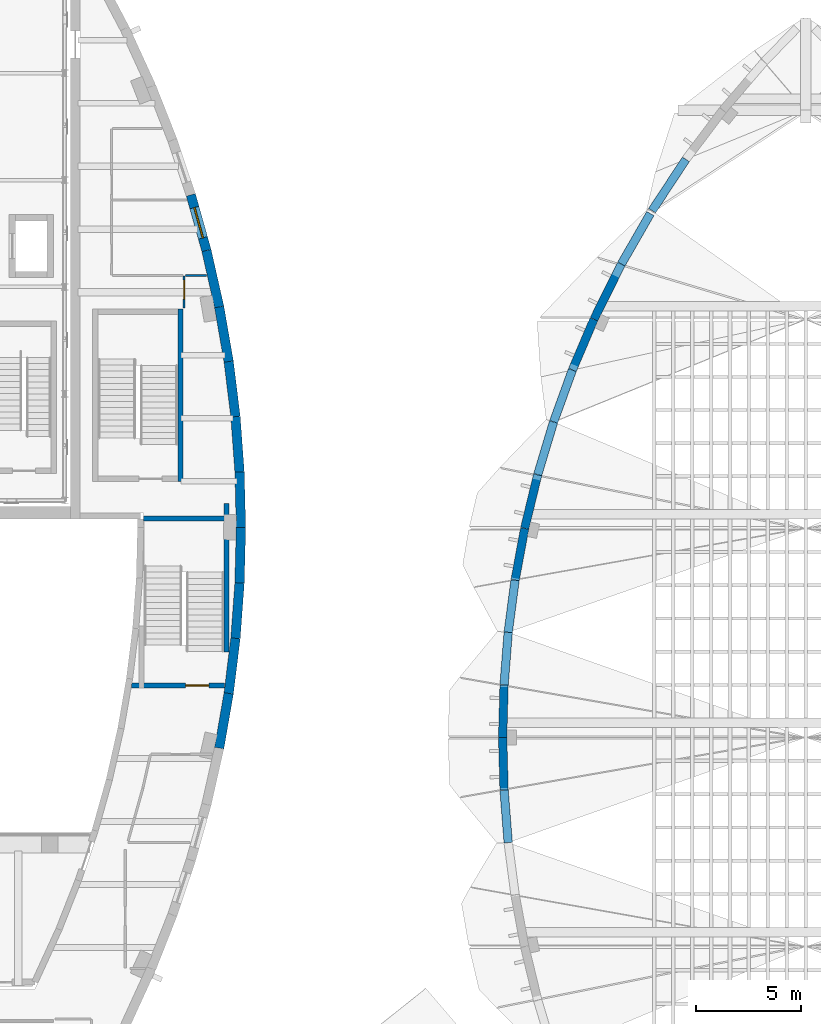
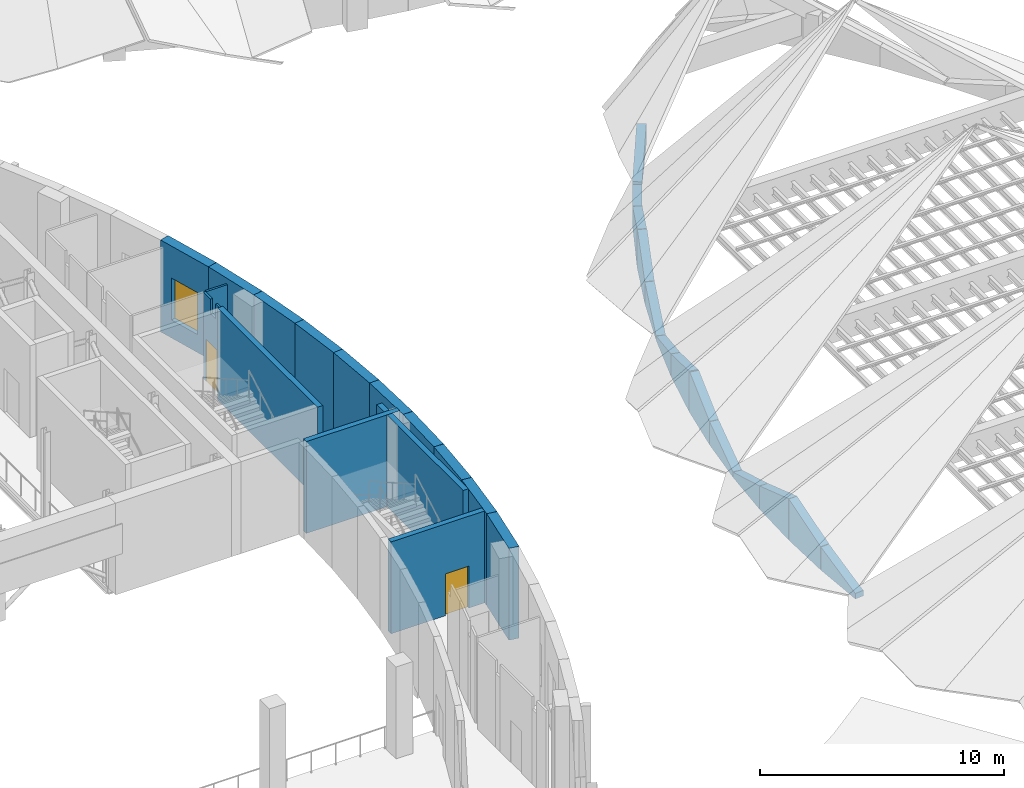
# One storey, part 37 of 56: 29 walls, 2 doors, 1 window, 3 openings.
"""IFC4 building model written with IfcOpenShell, lengths in metres."""

import ifcopenshell
import ifcopenshell.guid

model = None  # the IFC model being written
_history = None  # IfcOwnerHistory: only IFC2X3 demands one
_inside = {}  # id of a spatial element -> (the spatial element, [elements in it])
_under = {}  # id of a project, library or spatial element -> (it, [spatial elements below it])
_declared = {}  # id of a project -> (the project, [libraries it declares])
_typed = {}  # id of a type object -> (the type object, [elements of that type])
_made_of = {}  # id of a material, layer set ... -> (it, [elements and type objects made of it])


def new_model(schema):
    """Start an empty IFC model of exactly this schema.

    Asked for "IFC4X3", IfcOpenShell would pick the latest addendum, in which some entities
    have other attributes; the version numbers below select the first issue.
    IFC2X3 requires an IfcOwnerHistory on every rooted entity: one is made here for all.
    """
    global model, _history
    if schema == "IFC4X3":
        model = ifcopenshell.file(schema_version=(4, 3, 0, 0))
    else:
        model = ifcopenshell.file(schema=schema)
    _inside.clear()
    _under.clear()
    _declared.clear()
    _typed.clear()
    _made_of.clear()
    _history = None
    if model.schema == "IFC2X3":
        org = make("IfcOrganization", Name="unknown")
        user = make(
            "IfcPersonAndOrganization",
            ThePerson=make("IfcPerson", FamilyName="unknown"),
            TheOrganization=org,
        )
        app = make(
            "IfcApplication",
            ApplicationDeveloper=org,
            Version="unknown",
            ApplicationFullName="unknown",
            ApplicationIdentifier="unknown",
        )
        _history = make(
            "IfcOwnerHistory",
            OwningUser=user,
            OwningApplication=app,
            ChangeAction="ADDED",
            CreationDate=0,
        )
    return model


def make(cls, **values):
    """One entity of the class cls with the attributes given. An attribute that is None is left unset."""
    return model.create_entity(
        cls, **{name: value for name, value in values.items() if value is not None}
    )


def rooted(cls, **values):
    """An entity with a GlobalId (a new one), such as an element, a storey or a relation."""
    return make(cls, GlobalId=ifcopenshell.guid.new(), OwnerHistory=_history, **values)


def si_unit(unit_type, name, prefix=None):
    """IfcSIUnit, for example si_unit("LENGTHUNIT", "METRE", prefix="MILLI")."""
    return make("IfcSIUnit", UnitType=unit_type, Prefix=prefix, Name=name)


def assignment(units):
    """IfcUnitAssignment: the units of a project."""
    return None if units is None else make("IfcUnitAssignment", Units=units)


def point(xyz):
    """IfcCartesianPoint."""
    return None if xyz is None else make("IfcCartesianPoint", Coordinates=xyz)


def direction(xyz):
    """IfcDirection."""
    return None if xyz is None else make("IfcDirection", DirectionRatios=xyz)


def frame(location, z_axis=None, x_axis=None):
    """IfcAxis2Placement3D, a coordinate frame: its origin and axes. An axis left out is left unset."""
    return make(
        "IfcAxis2Placement3D",
        Location=point(location),
        Axis=direction(z_axis),
        RefDirection=direction(x_axis),
    )


def frame_2d(location, x_axis=None):
    """IfcAxis2Placement2D, a coordinate frame in the plane: its origin and x axis."""
    return make(
        "IfcAxis2Placement2D", Location=point(location), RefDirection=direction(x_axis)
    )


def origin():
    """The frame at (0, 0, 0) with its axes left unset."""
    return frame((0.0, 0.0, 0.0))


def place(relative_to, where):
    """IfcLocalPlacement: puts the frame where relative to a parent placement (None: the world)."""
    return make(
        "IfcLocalPlacement", PlacementRelTo=relative_to, RelativePlacement=where
    )


def context(
    kind, dimensions, precision=None, world=None, true_north=None, identifier=None
):
    """IfcGeometricRepresentationContext, for example the 3D "Model" context."""
    return make(
        "IfcGeometricRepresentationContext",
        ContextIdentifier=identifier,
        ContextType=kind,
        CoordinateSpaceDimension=dimensions,
        Precision=precision,
        WorldCoordinateSystem=world,
        TrueNorth=true_north,
    )


def subcontext(parent, identifier, kind, view, scale=None):
    """IfcGeometricRepresentationSubContext, for example "Body" below "Model"."""
    return make(
        "IfcGeometricRepresentationSubContext",
        ContextIdentifier=identifier,
        ContextType=kind,
        ParentContext=parent,
        TargetScale=scale,
        TargetView=view,
    )


def project(units=None, contexts=None):
    """IfcProject with its units and contexts."""
    return rooted(
        "IfcProject",
        Name="project",
        RepresentationContexts=contexts,
        UnitsInContext=assignment(units),
    )


def spatial(cls, under=None, at=None, **own):
    """A site, building, storey or space (cls), placed at a placement, below another one or the project."""
    s = rooted(cls, ObjectPlacement=at, **own)
    if under is not None:
        _under.setdefault(under.id(), (under, []))[1].append(s)
    return s


def polyline(points):
    """IfcPolyline through the points."""
    return make("IfcPolyline", Points=[point(p) for p in points])


def profile(cls, at=None, kind="AREA", **sizes):
    """A parametric profile (cls). Its sizes go by their IFC names, for example OverallWidth=200.0."""
    return make(cls, ProfileType=kind, Position=at, **sizes)


def rectangle(**sizes):
    """IfcRectangleProfileDef."""
    return profile("IfcRectangleProfileDef", **sizes)


def outline(outer, holes=None, kind="AREA"):
    """IfcArbitraryClosedProfileDef: a profile drawn as a closed curve; with holes, ...WithVoids."""
    if holes is None:
        return make("IfcArbitraryClosedProfileDef", ProfileType=kind, OuterCurve=outer)
    return make(
        "IfcArbitraryProfileDefWithVoids",
        ProfileType=kind,
        OuterCurve=outer,
        InnerCurves=holes,
    )


def extrude(swept, where, along, depth):
    """IfcExtrudedAreaSolid: the profile swept, set in the frame where, extruded along a direction by depth."""
    return make(
        "IfcExtrudedAreaSolid",
        SweptArea=swept,
        Position=where,
        ExtrudedDirection=direction(along),
        Depth=depth,
    )


def shape(context_of_items, identifier, shape_type, items):
    """IfcShapeRepresentation: the items that make up one representation, for example the "Body"."""
    return make(
        "IfcShapeRepresentation",
        ContextOfItems=context_of_items,
        RepresentationIdentifier=identifier,
        RepresentationType=shape_type,
        Items=items,
    )


def material(Name=None, Category=None):
    """IfcMaterial."""
    return make("IfcMaterial", Name=Name, Category=Category)


def layer(
    of_material, thickness, ventilated=None, Name=None, Category=None, Priority=None
):
    """IfcMaterialLayer: one layer of a wall or slab, of a material (None: an air gap)."""
    return make(
        "IfcMaterialLayer",
        Material=of_material,
        LayerThickness=thickness,
        IsVentilated=ventilated,
        Name=Name,
        Category=Category,
        Priority=Priority,
    )


def layer_set(layers, Name=None):
    """IfcMaterialLayerSet."""
    return make("IfcMaterialLayerSet", MaterialLayers=layers, LayerSetName=Name)


def made_of(thing, what):
    """Note that an element or type object is made of a material, layer set ...; save() writes the relation."""
    if what is not None:
        _made_of.setdefault(what.id(), (what, []))[1].append(thing)
    return thing


def type_object(cls, material=None, **own):
    """A type object (cls), such as IfcWallType, which elements share."""
    return made_of(rooted(cls, **own), material)


def element(
    cls,
    number,
    at=None,
    inside=None,
    cuts=None,
    type_object=None,
    material=None,
    context=None,
    identifier="Body",
    shape_type=None,
    held_by="IfcProductDefinitionShape",
    body=None,
    shapes=None,
    **own,
):
    """One element of the class cls, such as IfcWall. Its Tag is "e" and its number.

    at: its placement. inside: the storey or other place that contains it. cuts: it is an
    opening in that element (IfcRelVoidsElement). A single representation is given by context,
    identifier, shape_type and body (its items); several are given by shapes. held_by: the class
    of the entity that holds the representations. save() writes the other relations.
    """
    e = rooted(cls, Tag="e%d" % number, ObjectPlacement=at, **own)
    if body is not None:
        shapes = [shape(context, identifier, shape_type, body)]
    if shapes is not None:
        e.Representation = make(held_by, Representations=shapes)
    if inside is not None:
        _inside.setdefault(inside.id(), (inside, []))[1].append(e)
    if cuts is not None:
        rooted(
            "IfcRelVoidsElement", RelatingBuildingElement=cuts, RelatedOpeningElement=e
        )
    if type_object is not None:
        _typed.setdefault(type_object.id(), (type_object, []))[1].append(e)
    return made_of(e, material)


def fill(opening, filler):
    """IfcRelFillsElement: the door or window that sits in an opening."""
    return rooted(
        "IfcRelFillsElement",
        RelatingOpeningElement=opening,
        RelatedBuildingElement=filler,
    )


def aggregate(whole, parts):
    """IfcRelAggregates: a whole, such as a stair, and the parts it consists of."""
    return rooted("IfcRelAggregates", RelatingObject=whole, RelatedObjects=parts)


def save(model, path):
    """Write the relations noted so far, then the file.

    IfcRelAggregates (storeys below a building ...), IfcRelContainedInSpatialStructure (elements
    in a storey), IfcRelDefinesByType, IfcRelAssociatesMaterial and IfcRelDeclares: one each for
    every whole, place, type object, material and project.
    """
    for whole, parts in _under.values():
        aggregate(whole, parts)
    for where, things in _inside.values():
        rooted(
            "IfcRelContainedInSpatialStructure",
            RelatedElements=things,
            RelatingStructure=where,
        )
    for kind, things in _typed.values():
        rooted("IfcRelDefinesByType", RelatedObjects=things, RelatingType=kind)
    for what, things in _made_of.values():
        rooted("IfcRelAssociatesMaterial", RelatedObjects=things, RelatingMaterial=what)
    for by, libraries in _declared.values():
        rooted("IfcRelDeclares", RelatingContext=by, RelatedDefinitions=libraries)
    model.write(path)


model = new_model("IFC4")

# Units and contexts
model_context = context("Model", 3, precision=1e-05, world=origin(), true_north=direction((0.0, 1.0)))
body_context = subcontext(model_context, "Body", "Model", "MODEL_VIEW")
ifc_project = project(units=[si_unit("LENGTHUNIT", "METRE"), si_unit("AREAUNIT", "SQUARE_METRE"), si_unit("VOLUMEUNIT", "CUBIC_METRE"), si_unit("PLANEANGLEUNIT", "RADIAN"), si_unit("MASSUNIT", "GRAM", prefix="KILO")], contexts=[model_context])

# Site, building, storey
site_placement = place(None, origin())
site = spatial("IfcSite", under=ifc_project, at=site_placement, CompositionType="ELEMENT")
building_placement = place(site_placement, origin())
building = spatial("IfcBuilding", under=site, at=building_placement, Name="Tide Square Theatres", CompositionType="ELEMENT")
storey_placement = place(building_placement, frame((0.0, 0.0, 10.199951171875)))
storey = spatial("IfcBuildingStorey", under=building, at=storey_placement, Name="L02", CompositionType="ELEMENT", Elevation=10.199951171875)

# Wall, opening, door
ifc_material_1 = material(Name="Gypsum board on steel studs", Category="steel")
ifc_layer_1 = layer(ifc_material_1, 0.10009765625)
ifc_layer_set_1 = layer_set([ifc_layer_1], Name="Gypsum board on steel studs")
wall_type_1 = type_object("IfcWallType", Name="Partition 100 thick", PredefinedType="PARTITIONING", material=ifc_layer_set_1)
wall_1_placement = place(storey_placement, frame((102.39990234375, 65.4599609375, 0.0), z_axis=(0.0, 0.0, 1.0), x_axis=(0.0, 1.0, 0.0)))
wall_1 = element("IfcWall", 1, at=wall_1_placement, inside=storey, type_object=wall_type_1, Name="Partition", PredefinedType="PARTITIONING", context=body_context, shape_type="SweptSolid", body=[
    extrude(outline(polyline([(0.0, 0.0), (1.52001953125, 0.0), (1.52001953125, 4.35009765625), (0.947021484375, 4.35009765625), (0.945068359375, 3.6201171875), (0.534912109375, 3.6201171875), (0.532958984375, 4.35009765625), (0.0, 4.35009765625), (0.0, 0.0)])), frame((0.0, 0.050048828125, 0.0), z_axis=(0.0, -1.0, 0.0), x_axis=(1.0, 0.0, 0.0)), (0.0, 0.0, 1.0), 0.10009765625),
])
opening_1_placement = place(wall_1_placement, frame((0.419921875, 0.0, 0.0)))
opening_1 = element("IfcOpeningElement", 2, at=opening_1_placement, cuts=wall_1, Name="Opening M02-19", PredefinedType="OPENING", context=body_context, shape_type="SweptSolid", body=[
    extrude(rectangle(XDim=0.89990234375, YDim=2.10009765625, at=frame_2d((0.449951171875, 1.050048828125))), frame((0.0, 0.06005859375, 0.0), z_axis=(0.0, -1.0, 0.0), x_axis=(1.0, 0.0, 0.0)), (0.0, 0.0, 1.0), 0.1201171875),
])
ifc_material_2 = material(Name="Hardwood timber", Category="wood")
door_type_1 = type_object("IfcDoorType", Name="Door 900 x 2100 single leaf", OperationType="NOTDEFINED", PredefinedType="DOOR", material=ifc_material_2)
door_1_placement = place(opening_1_placement, frame((0.89990234375, 0.0, 0.0), z_axis=(0.0, 0.0, 1.0), x_axis=(-1.0, 0.0, 0.0)))
door_1 = element("IfcDoor", 3, at=door_1_placement, inside=storey, type_object=door_type_1, Name="Stage Management Room door", OperationType="SINGLE_SWING_LEFT", OverallHeight=2.10009765625, OverallWidth=0.89990234375, PredefinedType="DOOR", context=body_context, shape_type="SweptSolid", body=[
    extrude(rectangle(XDim=0.89990234375, YDim=2.10009765625, at=frame_2d((0.449951171875, 1.050048828125))), frame((0.0, 0.02490234375, 0.0), z_axis=(0.0, -1.0, 0.0), x_axis=(1.0, 0.0, 0.0)), (0.0, 0.0, 1.0), 0.050048828125),
])
fill(opening_1, door_1)

# Walls
wall_2_placement = place(storey_placement, frame((103.46533203125, 67.0, 0.0), z_axis=(0.0, 0.0, 1.0), x_axis=(-1.0, 0.0, 0.0)))
element("IfcWall", 4, at=wall_2_placement, inside=storey, type_object=wall_type_1, Name="Partition", PredefinedType="PARTITIONING", context=body_context, shape_type="SweptSolid", body=[
    extrude(rectangle(XDim=0.995361328125, YDim=0.10009765625, at=frame_2d((0.49755859375, 0.0))), origin(), (0.0, 0.0, 1.0), 4.35009765625),
])
ifc_material_3 = material(Name="Concrete C40", Category="concrete")
ifc_layer_2 = layer(ifc_material_3, 0.39990234375)
ifc_layer_set_2 = layer_set([ifc_layer_2], Name="Concrete C40")
wall_type_2 = type_object("IfcWallType", Name="RC curved wall 400 thick", PredefinedType="SOLIDWALL", material=ifc_layer_set_2)
wall_3_placement = place(storey_placement, frame((126.29443359375, 72.5263671875, 0.0), z_axis=(0.0, 0.0, 1.0), x_axis=(-0.550602185206, -0.834767772285, 0.0)))
element("IfcWall", 5, at=wall_3_placement, inside=storey, type_object=wall_type_2, Name="Black Box Theatre perimeter wall", PredefinedType="SOLIDWALL", context=body_context, shape_type="SweptSolid", body=[
    extrude(outline(polyline([(0.0, 0.0), (2.91943359375, 0.0), (2.919189453125, 0.170654296875), (2.462646484375, 0.310791015625), (0.28759765625, 0.978515625), (0.0, 1.04296875), (0.0, 0.0)])), frame((0.0, 0.199951171875, 0.0), z_axis=(0.0, -1.0, 0.0), x_axis=(1.0, 0.0, 0.0)), (0.0, 0.0, 1.0), 0.39990234375),
])
wall_4_placement = place(storey_placement, frame((124.60595703125, 69.94921875, 0.0), z_axis=(0.0, 0.0, 1.0), x_axis=(-0.498396594993, -0.866949153122, 0.0)))
element("IfcWall", 6, at=wall_4_placement, inside=storey, type_object=wall_type_2, Name="Black Box Theatre perimeter wall", PredefinedType="SOLIDWALL", context=body_context, shape_type="SweptSolid", body=[
    extrude(outline(polyline([(0.0, 0.0), (2.76953125, 0.0), (2.769287109375, 1.000244140625), (2.728515625, 0.987548828125), (0.0, 0.150146484375), (0.0, 0.0)])), frame((0.0, 0.199951171875, 0.0), z_axis=(0.0, -1.0, 0.0), x_axis=(1.0, 0.0, 0.0)), (0.0, 0.0, 1.0), 0.39990234375),
])
wall_5_placement = place(storey_placement, frame((123.2197265625, 67.537353515625, 0.0), z_axis=(0.0, 0.0, 1.0), x_axis=(-0.44433489597, -0.895860759395, 0.0)))
element("IfcWall", 7, at=wall_5_placement, inside=storey, type_object=wall_type_2, Name="Black Box Theatre perimeter wall", PredefinedType="SOLIDWALL", context=body_context, shape_type="SweptSolid", body=[
    extrude(outline(polyline([(0.0, 0.0), (2.919677734375, 0.0), (2.919921875, 1.910888671875), (2.908447265625, 1.907470703125), (2.809326171875, 1.876953125), (2.710205078125, 1.846435546875), (0.0, 1.008056640625), (0.0, 0.0)])), frame((0.0, 0.199951171875, 0.0), z_axis=(0.0, -1.0, 0.0), x_axis=(1.0, 0.0, 0.0)), (0.0, 0.0, 1.0), 0.39990234375),
])
wall_6_placement = place(storey_placement, frame((121.91748046875, 64.910888671875, 0.0), z_axis=(0.0, 0.0, 1.0), x_axis=(-0.391529943778, -0.920165367271, 0.0)))
element("IfcWall", 8, at=wall_6_placement, inside=storey, type_object=wall_type_2, Name="Black Box Theatre perimeter wall", PredefinedType="SOLIDWALL", context=body_context, shape_type="SweptSolid", body=[
    extrude(outline(polyline([(0.0, 0.0), (2.61572265625, 0.0), (2.615966796875, 1.11669921875), (2.479736328125, 1.163330078125), (0.192626953125, 1.94677734375), (0.107421875, 1.975830078125), (0.0, 1.919677734375), (0.0, 0.0)])), frame((0.0, 0.199951171875, 0.0), z_axis=(0.0, -1.0, 0.0), x_axis=(1.0, 0.0, 0.0)), (0.0, 0.0, 1.0), 0.39990234375),
])
wall_7_placement = place(storey_placement, frame((120.889404296875, 62.49365234375, 0.0), z_axis=(0.0, 0.0, 1.0), x_axis=(-0.340394146267, -0.940282843184, 0.0)))
element("IfcWall", 9, at=wall_7_placement, inside=storey, type_object=wall_type_2, Name="Black Box Theatre perimeter wall", PredefinedType="SOLIDWALL", context=body_context, shape_type="SweptSolid", body=[
    extrude(outline(polyline([(0.0, 0.0), (2.616455078125, 0.0), (2.616455078125, 0.218505859375), (2.441650390625, 0.2783203125), (0.120361328125, 1.07275390625), (0.0, 1.109375), (0.0, 0.0)])), frame((0.0, 0.199951171875, 0.0), z_axis=(0.0, -1.0, 0.0), x_axis=(1.0, 0.0, 0.0)), (0.0, 0.0, 1.0), 0.39990234375),
])
wall_8_placement = place(storey_placement, frame((119.995361328125, 60.02294921875, 0.0), z_axis=(0.0, 0.0, 1.0), x_axis=(-0.288212317298, -0.957566530408, 0.0)))
element("IfcWall", 10, at=wall_8_placement, inside=storey, type_object=wall_type_2, Name="Black Box Theatre perimeter wall", PredefinedType="SOLIDWALL", context=body_context, shape_type="SweptSolid", body=[
    extrude(outline(polyline([(0.0, 0.0), (2.61669921875, 0.0), (2.616455078125, 1.115234375), (2.60302734375, 1.110595703125), (0.0, 0.218994140625), (0.0, 0.0)])), frame((0.0, 0.199951171875, 0.0), z_axis=(0.0, -1.0, 0.0), x_axis=(1.0, 0.0, 0.0)), (0.0, 0.0, 1.0), 0.39990234375),
])
wall_9_placement = place(storey_placement, frame((119.23828125, 57.5068359375, 0.0), z_axis=(0.0, 0.0, 1.0), x_axis=(-0.235108668597, -0.971969091047, 0.0)))
element("IfcWall", 11, at=wall_9_placement, inside=storey, type_object=wall_type_2, Name="Black Box Theatre perimeter wall", PredefinedType="SOLIDWALL", context=body_context, shape_type="SweptSolid", body=[
    extrude(outline(polyline([(0.0, 0.0), (2.61669921875, 0.0), (2.61669921875, 2.021728515625), (2.5859375, 2.01123046875), (2.4892578125, 1.97802734375), (0.0, 1.123046875), (0.0, 0.0)])), frame((0.0, 0.199951171875, 0.0), z_axis=(0.0, -1.0, 0.0), x_axis=(1.0, 0.0, 0.0)), (0.0, 0.0, 1.0), 0.39990234375),
])
wall_10_placement = place(storey_placement, frame((118.620849609375, 54.952880859375, 0.0), z_axis=(0.0, 0.0, 1.0), x_axis=(-0.182652956339, -0.983177449671, 0.0)))
element("IfcWall", 12, at=wall_10_placement, inside=storey, type_object=wall_type_2, Name="Black Box Theatre perimeter wall", PredefinedType="SOLIDWALL", context=body_context, shape_type="SweptSolid", body=[
    extrude(outline(polyline([(0.0, 0.0), (2.496826171875, 0.0), (2.496826171875, 1.17041015625), (2.427001953125, 1.195556640625), (0.078125, 2.03857421875), (0.0, 2.0283203125), (0.0, 0.0)])), frame((0.0, 0.199951171875, 0.0), z_axis=(0.0, -1.0, 0.0), x_axis=(1.0, 0.0, 0.0)), (0.0, 0.0, 1.0), 0.39990234375),
])
wall_11_placement = place(storey_placement, frame((118.1630859375, 52.487548828125, 0.0), z_axis=(0.0, 0.0, 1.0), x_axis=(-0.130722601708, -0.991418983782, 0.0)))
element("IfcWall", 13, at=wall_11_placement, inside=storey, type_object=wall_type_2, Name="Black Box Theatre perimeter wall", PredefinedType="SOLIDWALL", context=body_context, shape_type="SweptSolid", body=[
    extrude(outline(polyline([(0.0, 0.0), (2.4970703125, 0.0), (2.497314453125, 0.267578125), (2.401611328125, 0.302001953125), (0.058349609375, 1.143798828125), (0.0, 1.1630859375), (0.0, 0.0)])), frame((0.0, 0.199951171875, 0.0), z_axis=(0.0, -1.0, 0.0), x_axis=(1.0, 0.0, 0.0)), (0.0, 0.0, 1.0), 0.39990234375),
])
wall_12_placement = place(storey_placement, frame((117.83544921875, 50.00146484375, 0.0), z_axis=(0.0, 0.0, 1.0), x_axis=(-0.078602769132, -0.996906015974, 0.0)))
element("IfcWall", 14, at=wall_12_placement, inside=storey, type_object=wall_type_2, Name="Black Box Theatre perimeter wall", PredefinedType="SOLIDWALL", context=body_context, shape_type="SweptSolid", body=[
    extrude(outline(polyline([(0.0, 0.0), (2.497314453125, 0.0), (2.497314453125, 1.1611328125), (2.483642578125, 1.15673828125), (0.048095703125, 0.28125), (0.0, 0.26416015625), (0.0, 0.0)])), frame((0.0, 0.199951171875, 0.0), z_axis=(0.0, -1.0, 0.0), x_axis=(1.0, 0.0, 0.0)), (0.0, 0.0, 1.0), 0.39990234375),
])
wall_13_placement = place(storey_placement, frame((117.638671875, 47.501708984375, 0.0), z_axis=(0.0, 0.0, 1.0), x_axis=(-0.026296399089, -0.999654189905, 0.0)))
element("IfcWall", 15, at=wall_13_placement, inside=storey, type_object=wall_type_2, Name="Black Box Theatre perimeter wall", PredefinedType="SOLIDWALL", context=body_context, shape_type="SweptSolid", body=[
    extrude(outline(polyline([(0.0, 0.0), (2.49755859375, 0.0), (2.497314453125, 2.064697265625), (2.4306640625, 2.040771484375), (0.0, 1.16845703125), (0.0, 0.0)])), frame((0.0, 0.199951171875, 0.0), z_axis=(0.0, -1.0, 0.0), x_axis=(1.0, 0.0, 0.0)), (0.0, 0.0, 1.0), 0.39990234375),
])
wall_14_placement = place(storey_placement, frame((117.572998046875, 44.994873046875, 0.0), z_axis=(0.0, 0.0, 1.0), x_axis=(0.026296399089, -0.999654189905, 0.0)))
element("IfcWall", 16, at=wall_14_placement, inside=storey, type_object=wall_type_2, Name="Black Box Theatre perimeter wall", PredefinedType="SOLIDWALL", context=body_context, shape_type="SweptSolid", body=[
    extrude(outline(polyline([(0.0, 0.0), (2.49755859375, 0.0), (2.497314453125, 1.16845703125), (2.472900390625, 1.17724609375), (0.05615234375, 2.044677734375), (0.0, 2.064697265625), (0.0, 0.0)])), frame((0.0, 0.199951171875, 0.0), z_axis=(0.0, -1.0, 0.0), x_axis=(1.0, 0.0, 0.0)), (0.0, 0.0, 1.0), 0.39990234375),
])
wall_15_placement = place(storey_placement, frame((117.63916015625, 42.488037109375, 0.0), z_axis=(0.0, 0.0, 1.0), x_axis=(0.078602769132, -0.996906015974, 0.0)))
element("IfcWall", 17, at=wall_15_placement, inside=storey, type_object=wall_type_2, Name="Black Box Theatre perimeter wall", PredefinedType="SOLIDWALL", context=body_context, shape_type="SweptSolid", body=[
    extrude(outline(polyline([(0.0, 0.0), (2.497314453125, 0.0), (2.497314453125, 0.275390625), (2.448974609375, 0.281494140625), (0.0, 1.1611328125), (0.0, 0.0)])), frame((0.0, 0.199951171875, 0.0), z_axis=(0.0, -1.0, 0.0), x_axis=(1.0, 0.0, 0.0)), (0.0, 0.0, 1.0), 0.39990234375),
])
ifc_material_4 = material(Name="Concrete C40", Category="concrete")
ifc_layer_3 = layer(ifc_material_4, 0.449951171875)
ifc_layer_set_3 = layer_set([ifc_layer_3], Name="Concrete C40")
wall_type_3 = type_object("IfcWallType", Name="RC curved wall 450 thick", PredefinedType="SOLIDWALL", material=ifc_layer_set_3)
wall_16_placement = place(storey_placement, frame((104.07421875, 44.49658203125, 0.0), z_axis=(0.0, 0.0, 1.0), x_axis=(0.171196910379, 0.985236833394, 0.0)))
element("IfcWall", 18, at=wall_16_placement, inside=storey, type_object=wall_type_3, Name="Main Theatre perimeter wall", PredefinedType="SOLIDWALL", context=body_context, shape_type="SweptSolid", body=[
    extrude(rectangle(XDim=2.642578125, YDim=0.449951171875, at=frame_2d((1.3212890625, 0.0))), origin(), (0.0, 0.0, 1.0), 4.60009765625),
])
wall_17_placement = place(storey_placement, frame((104.526611328125, 47.10009765625, 0.0), z_axis=(0.0, 0.0, 1.0), x_axis=(0.122499610212, 0.992468561466, 0.0)))
element("IfcWall", 19, at=wall_17_placement, inside=storey, type_object=wall_type_3, Name="Main Theatre perimeter wall", PredefinedType="SOLIDWALL", context=body_context, shape_type="SweptSolid", body=[
    extrude(rectangle(XDim=2.642822265625, YDim=0.449951171875, at=frame_2d((1.3212890625, 0.0))), origin(), (0.0, 0.0, 1.0), 4.60009765625),
])
wall_18_placement = place(storey_placement, frame((104.850341796875, 49.722900390625, 0.0), z_axis=(0.0, 0.0, 1.0), x_axis=(0.07363685767, 0.997285121313, 0.0)))
element("IfcWall", 20, at=wall_18_placement, inside=storey, type_object=wall_type_3, Name="Main Theatre perimeter wall", PredefinedType="SOLIDWALL", context=body_context, shape_type="SweptSolid", body=[
    extrude(rectangle(XDim=2.642333984375, YDim=0.449951171875, at=frame_2d((1.3212890625, 0.0))), origin(), (0.0, 0.0, 1.0), 4.60009765625),
])
for number, where, z_axis, x_axis, name in (
    (21, (105.044921875, 52.358154296875, 0.0), (0.0, 0.0, 1.0), (0.024666736886, 0.999695729756, 0.0), "Main Theatre perimeter wall"),
    (22, (105.110107421875, 55.0, 0.0), (0.0, 0.0, 1.0), (-0.024666736886, 0.999695729756, 0.0), "Main Theatre perimeter wall"),
):
    element("IfcWall", number, at=place(storey_placement, frame(where, z_axis=z_axis, x_axis=x_axis)), inside=storey, type_object=wall_type_3, Name=name, PredefinedType="SOLIDWALL", context=body_context, shape_type="SweptSolid", body=[
        extrude(rectangle(XDim=2.642578125, YDim=0.449951171875, at=frame_2d((1.3212890625, 0.0))), origin(), (0.0, 0.0, 1.0), 4.60009765625),
    ])
wall_19_placement = place(storey_placement, frame((105.044921875, 57.641845703125, 0.0), z_axis=(0.0, 0.0, 1.0), x_axis=(-0.07363685767, 0.997285121313, 0.0)))
element("IfcWall", 23, at=wall_19_placement, inside=storey, type_object=wall_type_3, Name="Main Theatre perimeter wall", PredefinedType="SOLIDWALL", context=body_context, shape_type="SweptSolid", body=[
    extrude(rectangle(XDim=2.642333984375, YDim=0.449951171875, at=frame_2d((1.3212890625, 0.0))), origin(), (0.0, 0.0, 1.0), 4.60009765625),
])
wall_20_placement = place(storey_placement, frame((104.850341796875, 60.277099609375, 0.0), z_axis=(0.0, 0.0, 1.0), x_axis=(-0.122499610212, 0.992468561466, 0.0)))
element("IfcWall", 24, at=wall_20_placement, inside=storey, type_object=wall_type_3, Name="Main Theatre perimeter wall", PredefinedType="SOLIDWALL", context=body_context, shape_type="SweptSolid", body=[
    extrude(rectangle(XDim=2.642822265625, YDim=0.449951171875, at=frame_2d((1.3212890625, 0.0))), origin(), (0.0, 0.0, 1.0), 4.60009765625),
])
wall_21_placement = place(storey_placement, frame((104.526611328125, 62.89990234375, 0.0), z_axis=(0.0, 0.0, 1.0), x_axis=(-0.171196910379, 0.985236833394, 0.0)))
element("IfcWall", 25, at=wall_21_placement, inside=storey, type_object=wall_type_3, Name="Main Theatre perimeter wall", PredefinedType="SOLIDWALL", context=body_context, shape_type="SweptSolid", body=[
    extrude(rectangle(XDim=2.642578125, YDim=0.449951171875, at=frame_2d((1.3212890625, 0.0))), origin(), (0.0, 0.0, 1.0), 4.60009765625),
])
wall_22_placement = place(storey_placement, frame((104.07421875, 65.50341796875, 0.0), z_axis=(0.0, 0.0, 1.0), x_axis=(-0.220347996563, 0.975421324562, 0.0)))
element("IfcWall", 26, at=wall_22_placement, inside=storey, type_object=wall_type_3, Name="Main Theatre perimeter wall", PredefinedType="SOLIDWALL", context=body_context, shape_type="SweptSolid", body=[
    extrude(rectangle(XDim=2.752197265625, YDim=0.449951171875, at=frame_2d((1.3759765625, 0.0))), origin(), (0.0, 0.0, 1.0), 4.60009765625),
])

# Wall, opening, window
wall_23_placement = place(storey_placement, frame((103.4677734375, 68.18798828125, 0.0), z_axis=(0.0, 0.0, 1.0), x_axis=(-0.270008269196, 0.962858003324, 0.0)))
wall_23 = element("IfcWall", 27, at=wall_23_placement, inside=storey, type_object=wall_type_3, Name="Main Theatre perimeter wall", PredefinedType="SOLIDWALL", context=body_context, shape_type="SweptSolid", body=[
    extrude(rectangle(XDim=2.75244140625, YDim=0.449951171875, at=frame_2d((1.376220703125, 0.0))), origin(), (0.0, 0.0, 1.0), 4.60009765625),
])
opening_2_placement = place(wall_23_placement, frame((0.626220703125, 0.0, 0.89990234375)))
opening_2 = element("IfcOpeningElement", 28, at=opening_2_placement, cuts=wall_23, Name="Opening WN-01", PredefinedType="OPENING", context=body_context, shape_type="SweptSolid", body=[
    extrude(rectangle(XDim=1.5, YDim=2.10009765625, at=frame_2d((0.75, 1.050048828125))), frame((0.0, 0.23486328125, 0.0), z_axis=(0.0, -1.0, 0.0), x_axis=(1.0, 0.0, 0.0)), (0.0, 0.0, 1.0), 0.469970703125),
])
ifc_material_5 = material(Name="Aluminium with laminated glass", Category="aluminium")
window_type = type_object("IfcWindowType", Name="Window 1500 x 2100", PartitioningType="SINGLE_PANEL", PredefinedType="WINDOW", material=ifc_material_5)
window_placement = place(opening_2_placement, origin())
window = element("IfcWindow", 29, at=window_placement, inside=storey, type_object=window_type, Name="Main Theatre window", OverallHeight=2.10009765625, OverallWidth=1.5, PartitioningType="SINGLE_PANEL", PredefinedType="WINDOW", context=body_context, shape_type="SweptSolid", body=[
    extrude(rectangle(XDim=1.5, YDim=2.10009765625, at=frame_2d((0.75, 1.050048828125))), frame((0.0, 0.030029296875, 0.0), z_axis=(0.0, -1.0, 0.0), x_axis=(1.0, 0.0, 0.0)), (0.0, 0.0, 1.0), 0.06005859375),
])
fill(opening_2, window)

# Walls
ifc_material_6 = material(Name="Concrete C40", Category="concrete")
ifc_layer_4 = layer(ifc_material_6, 0.25)
ifc_layer_set_4 = layer_set([ifc_layer_4], Name="Concrete C40")
wall_type_4 = type_object("IfcWallType", Name="RC shear wall 250 thick", PredefinedType="SHEAR", material=ifc_layer_set_4)
wall_24_placement = place(storey_placement, frame((102.22509765625, 57.199951171875, 0.0), z_axis=(0.0, 0.0, 1.0), x_axis=(0.0, 1.0, 0.0)))
element("IfcWall", 30, at=wall_24_placement, inside=storey, type_object=wall_type_4, Name="Main Theatre East Stair shaft wall", PredefinedType="SHEAR", context=body_context, shape_type="SweptSolid", body=[
    extrude(rectangle(XDim=8.199951171875, YDim=0.25, at=frame_2d((4.10009765625, 0.0))), origin(), (0.0, 0.0, 1.0), 4.60009765625),
])
wall_25_placement = place(storey_placement, frame((104.425048828125, 49.060791015625, 0.0), z_axis=(0.0, 0.0, 1.0), x_axis=(0.0, 1.0, 0.0)))
element("IfcWall", 31, at=wall_25_placement, inside=storey, type_object=wall_type_4, Name="Main Theatre East Circle Stair shaft wall", PredefinedType="SHEAR", context=body_context, shape_type="SweptSolid", body=[
    extrude(rectangle(XDim=7.089111328125, YDim=0.25, at=frame_2d((3.54443359375, 0.0))), origin(), (0.0, 0.0, 1.0), 4.60009765625),
])
wall_26_placement = place(storey_placement, frame((100.47998046875, 55.425048828125, 0.0), z_axis=(0.0, 0.0, 1.0), x_axis=(1.0, 0.0, 0.0)))
element("IfcWall", 32, at=wall_26_placement, inside=storey, type_object=wall_type_4, Name="Main Theatre East Circle Stair shaft wall", PredefinedType="SHEAR", context=body_context, shape_type="SweptSolid", body=[
    extrude(rectangle(XDim=4.419921875, YDim=0.25, at=frame_2d((2.2099609375, 0.0))), origin(), (0.0, 0.0, 1.0), 4.60009765625),
])

# Wall, opening, door
wall_27_placement = place(storey_placement, frame((104.330078125, 47.47509765625, 0.0), z_axis=(0.0, 0.0, 1.0), x_axis=(-1.0, 0.0, 0.0)))
wall_27 = element("IfcWall", 33, at=wall_27_placement, inside=storey, type_object=wall_type_4, Name="Main Theatre East Circle Stair shaft wall", PredefinedType="SHEAR", context=body_context, shape_type="SweptSolid", body=[
    extrude(rectangle(XDim=4.43017578125, YDim=0.25, at=frame_2d((2.215087890625, 0.0))), origin(), (0.0, 0.0, 1.0), 4.60009765625),
])
opening_3_placement = place(wall_27_placement, frame((0.75, 0.0, 0.0)))
opening_3 = element("IfcOpeningElement", 34, at=opening_3_placement, cuts=wall_27, Name="Opening M02-04", PredefinedType="OPENING", context=body_context, shape_type="SweptSolid", body=[
    extrude(rectangle(XDim=1.10009765625, YDim=2.10009765625, at=frame_2d((0.550048828125, 1.050048828125))), frame((0.0, 0.135009765625, 0.0), z_axis=(0.0, -1.0, 0.0), x_axis=(1.0, 0.0, 0.0)), (0.0, 0.0, 1.0), 0.27001953125),
])
ifc_material_7 = material(Name="Painted steel", Category="steel")
door_type_2 = type_object("IfcDoorType", Name="Door 1100 x 2100 single leaf", OperationType="NOTDEFINED", PredefinedType="DOOR", material=ifc_material_7)
door_2_placement = place(opening_3_placement, origin())
door_2 = element("IfcDoor", 35, at=door_2_placement, inside=storey, type_object=door_type_2, Name="Main Theatre East Circle Stair stair door", OperationType="SINGLE_SWING_RIGHT", OverallHeight=2.10009765625, OverallWidth=1.10009765625, PredefinedType="DOOR", context=body_context, shape_type="SweptSolid", body=[
    extrude(rectangle(XDim=1.10009765625, YDim=2.10009765625, at=frame_2d((0.550048828125, 1.050048828125))), frame((0.0, 0.02490234375, 0.0), z_axis=(0.0, -1.0, 0.0), x_axis=(1.0, 0.0, 0.0)), (0.0, 0.0, 1.0), 0.050048828125),
])
fill(opening_3, door_2)

save(model, "model.ifc")
